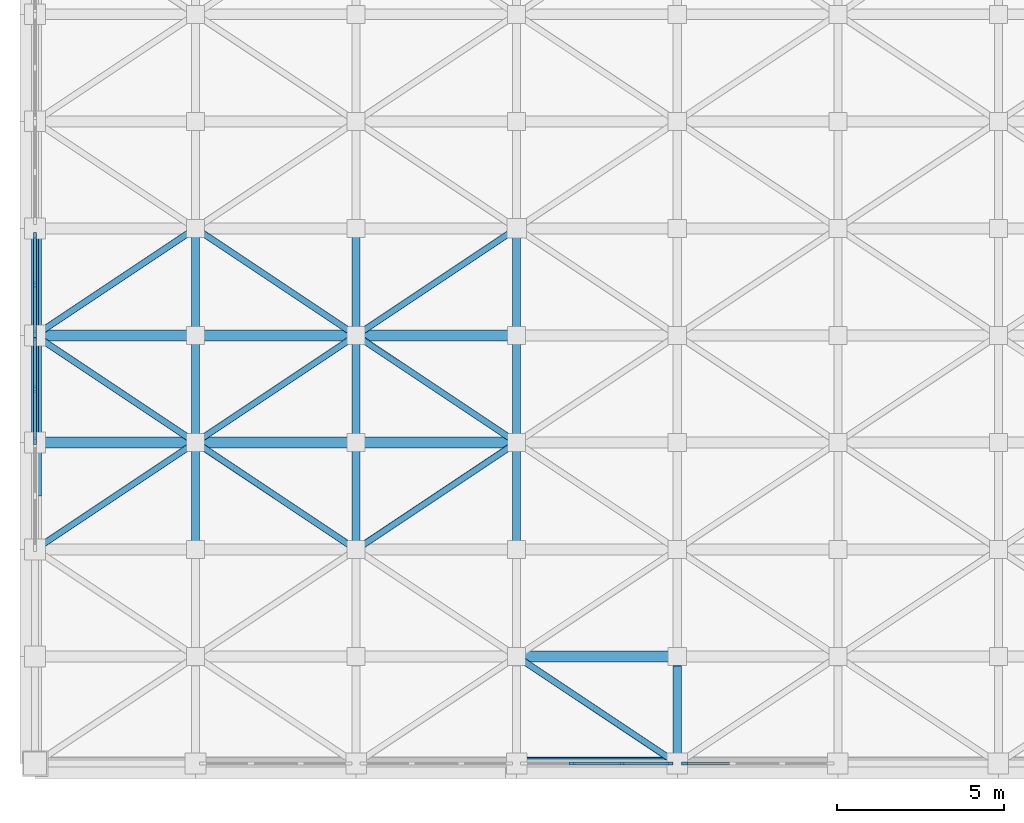
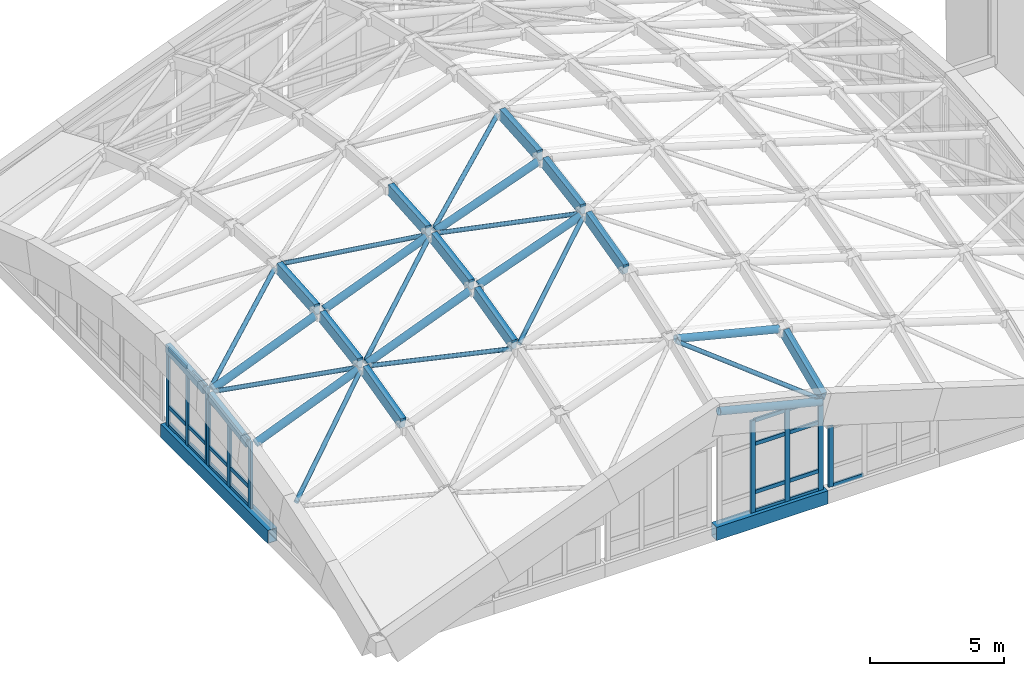
# One storey, part 3 of 14: 61 members, 2 beams, 4 elements without a shape of their own.
"""IFC4 building model written with IfcOpenShell, lengths in metres."""

import ifcopenshell
import ifcopenshell.guid

model = None  # the IFC model being written
_history = None  # IfcOwnerHistory: only IFC2X3 demands one
_inside = {}  # id of a spatial element -> (the spatial element, [elements in it])
_under = {}  # id of a project, library or spatial element -> (it, [spatial elements below it])
_declared = {}  # id of a project -> (the project, [libraries it declares])
_typed = {}  # id of a type object -> (the type object, [elements of that type])
_made_of = {}  # id of a material, layer set ... -> (it, [elements and type objects made of it])


def new_model(schema):
    """Start an empty IFC model of exactly this schema.

    Asked for "IFC4X3", IfcOpenShell would pick the latest addendum, in which some entities
    have other attributes; the version numbers below select the first issue.
    IFC2X3 requires an IfcOwnerHistory on every rooted entity: one is made here for all.
    """
    global model, _history
    if schema == "IFC4X3":
        model = ifcopenshell.file(schema_version=(4, 3, 0, 0))
    else:
        model = ifcopenshell.file(schema=schema)
    _inside.clear()
    _under.clear()
    _declared.clear()
    _typed.clear()
    _made_of.clear()
    _history = None
    if model.schema == "IFC2X3":
        org = make("IfcOrganization", Name="unknown")
        user = make(
            "IfcPersonAndOrganization",
            ThePerson=make("IfcPerson", FamilyName="unknown"),
            TheOrganization=org,
        )
        app = make(
            "IfcApplication",
            ApplicationDeveloper=org,
            Version="unknown",
            ApplicationFullName="unknown",
            ApplicationIdentifier="unknown",
        )
        _history = make(
            "IfcOwnerHistory",
            OwningUser=user,
            OwningApplication=app,
            ChangeAction="ADDED",
            CreationDate=0,
        )
    return model


def make(cls, **values):
    """One entity of the class cls with the attributes given. An attribute that is None is left unset."""
    return model.create_entity(
        cls, **{name: value for name, value in values.items() if value is not None}
    )


def rooted(cls, **values):
    """An entity with a GlobalId (a new one), such as an element, a storey or a relation."""
    return make(cls, GlobalId=ifcopenshell.guid.new(), OwnerHistory=_history, **values)


def si_unit(unit_type, name, prefix=None):
    """IfcSIUnit, for example si_unit("LENGTHUNIT", "METRE", prefix="MILLI")."""
    return make("IfcSIUnit", UnitType=unit_type, Prefix=prefix, Name=name)


def assignment(units):
    """IfcUnitAssignment: the units of a project."""
    return None if units is None else make("IfcUnitAssignment", Units=units)


def point(xyz):
    """IfcCartesianPoint."""
    return None if xyz is None else make("IfcCartesianPoint", Coordinates=xyz)


def direction(xyz):
    """IfcDirection."""
    return None if xyz is None else make("IfcDirection", DirectionRatios=xyz)


def frame(location, z_axis=None, x_axis=None):
    """IfcAxis2Placement3D, a coordinate frame: its origin and axes. An axis left out is left unset."""
    return make(
        "IfcAxis2Placement3D",
        Location=point(location),
        Axis=direction(z_axis),
        RefDirection=direction(x_axis),
    )


def frame_2d(location, x_axis=None):
    """IfcAxis2Placement2D, a coordinate frame in the plane: its origin and x axis."""
    return make(
        "IfcAxis2Placement2D", Location=point(location), RefDirection=direction(x_axis)
    )


def origin():
    """The frame at (0, 0, 0) with its axes left unset."""
    return frame((0.0, 0.0, 0.0))


def origin_2d():
    """The frame at (0, 0) in the plane with its x axis left unset."""
    return frame_2d((0.0, 0.0))


def place(relative_to, where):
    """IfcLocalPlacement: puts the frame where relative to a parent placement (None: the world)."""
    return make(
        "IfcLocalPlacement", PlacementRelTo=relative_to, RelativePlacement=where
    )


def context(
    kind, dimensions, precision=None, world=None, true_north=None, identifier=None
):
    """IfcGeometricRepresentationContext, for example the 3D "Model" context."""
    return make(
        "IfcGeometricRepresentationContext",
        ContextIdentifier=identifier,
        ContextType=kind,
        CoordinateSpaceDimension=dimensions,
        Precision=precision,
        WorldCoordinateSystem=world,
        TrueNorth=true_north,
    )


def subcontext(parent, identifier, kind, view, scale=None):
    """IfcGeometricRepresentationSubContext, for example "Body" below "Model"."""
    return make(
        "IfcGeometricRepresentationSubContext",
        ContextIdentifier=identifier,
        ContextType=kind,
        ParentContext=parent,
        TargetScale=scale,
        TargetView=view,
    )


def project(units=None, contexts=None):
    """IfcProject with its units and contexts."""
    return rooted(
        "IfcProject",
        Name="project",
        RepresentationContexts=contexts,
        UnitsInContext=assignment(units),
    )


def spatial(cls, under=None, at=None, **own):
    """A site, building, storey or space (cls), placed at a placement, below another one or the project."""
    s = rooted(cls, ObjectPlacement=at, **own)
    if under is not None:
        _under.setdefault(under.id(), (under, []))[1].append(s)
    return s


def profile(cls, at=None, kind="AREA", **sizes):
    """A parametric profile (cls). Its sizes go by their IFC names, for example OverallWidth=200.0."""
    return make(cls, ProfileType=kind, Position=at, **sizes)


def rectangle(**sizes):
    """IfcRectangleProfileDef."""
    return profile("IfcRectangleProfileDef", **sizes)


def hollow_rectangle(**sizes):
    """IfcRectangleHollowProfileDef."""
    return profile("IfcRectangleHollowProfileDef", **sizes)


def hollow_circle(**sizes):
    """IfcCircleHollowProfileDef."""
    return profile("IfcCircleHollowProfileDef", **sizes)


def extrude(swept, where, along, depth):
    """IfcExtrudedAreaSolid: the profile swept, set in the frame where, extruded along a direction by depth."""
    return make(
        "IfcExtrudedAreaSolid",
        SweptArea=swept,
        Position=where,
        ExtrudedDirection=direction(along),
        Depth=depth,
    )


def shape(context_of_items, identifier, shape_type, items):
    """IfcShapeRepresentation: the items that make up one representation, for example the "Body"."""
    return make(
        "IfcShapeRepresentation",
        ContextOfItems=context_of_items,
        RepresentationIdentifier=identifier,
        RepresentationType=shape_type,
        Items=items,
    )


def material(Name=None, Category=None):
    """IfcMaterial."""
    return make("IfcMaterial", Name=Name, Category=Category)


def material_profile(
    of_material, cross_section, Name=None, Category=None, Priority=None
):
    """IfcMaterialProfile: a cross section and its material."""
    return make(
        "IfcMaterialProfile",
        Name=Name,
        Material=of_material,
        Profile=cross_section,
        Priority=Priority,
        Category=Category,
    )


def profile_set(profiles, Name=None, composite=None):
    """IfcMaterialProfileSet."""
    return make(
        "IfcMaterialProfileSet",
        Name=Name,
        MaterialProfiles=profiles,
        CompositeProfile=composite,
    )


def made_of(thing, what):
    """Note that an element or type object is made of a material, layer set ...; save() writes the relation."""
    if what is not None:
        _made_of.setdefault(what.id(), (what, []))[1].append(thing)
    return thing


def type_object(cls, material=None, **own):
    """A type object (cls), such as IfcWallType, which elements share."""
    return made_of(rooted(cls, **own), material)


def element(
    cls,
    number,
    at=None,
    inside=None,
    cuts=None,
    type_object=None,
    material=None,
    context=None,
    identifier="Body",
    shape_type=None,
    held_by="IfcProductDefinitionShape",
    body=None,
    shapes=None,
    **own,
):
    """One element of the class cls, such as IfcWall. Its Tag is "e" and its number.

    at: its placement. inside: the storey or other place that contains it. cuts: it is an
    opening in that element (IfcRelVoidsElement). A single representation is given by context,
    identifier, shape_type and body (its items); several are given by shapes. held_by: the class
    of the entity that holds the representations. save() writes the other relations.
    """
    e = rooted(cls, Tag="e%d" % number, ObjectPlacement=at, **own)
    if body is not None:
        shapes = [shape(context, identifier, shape_type, body)]
    if shapes is not None:
        e.Representation = make(held_by, Representations=shapes)
    if inside is not None:
        _inside.setdefault(inside.id(), (inside, []))[1].append(e)
    if cuts is not None:
        rooted(
            "IfcRelVoidsElement", RelatingBuildingElement=cuts, RelatedOpeningElement=e
        )
    if type_object is not None:
        _typed.setdefault(type_object.id(), (type_object, []))[1].append(e)
    return made_of(e, material)


def aggregate(whole, parts):
    """IfcRelAggregates: a whole, such as a stair, and the parts it consists of."""
    return rooted("IfcRelAggregates", RelatingObject=whole, RelatedObjects=parts)


def save(model, path):
    """Write the relations noted so far, then the file.

    IfcRelAggregates (storeys below a building ...), IfcRelContainedInSpatialStructure (elements
    in a storey), IfcRelDefinesByType, IfcRelAssociatesMaterial and IfcRelDeclares: one each for
    every whole, place, type object, material and project.
    """
    for whole, parts in _under.values():
        aggregate(whole, parts)
    for where, things in _inside.values():
        rooted(
            "IfcRelContainedInSpatialStructure",
            RelatedElements=things,
            RelatingStructure=where,
        )
    for kind, things in _typed.values():
        rooted("IfcRelDefinesByType", RelatedObjects=things, RelatingType=kind)
    for what, things in _made_of.values():
        rooted("IfcRelAssociatesMaterial", RelatedObjects=things, RelatingMaterial=what)
    for by, libraries in _declared.values():
        rooted("IfcRelDeclares", RelatingContext=by, RelatedDefinitions=libraries)
    model.write(path)


model = new_model("IFC4")

# Units and contexts
model_context = context("Model", 3, precision=1e-05, world=origin(), true_north=direction((0.0, 1.0)))
body_context = subcontext(model_context, "Body", "Model", "MODEL_VIEW")
ifc_project = project(units=[si_unit("LENGTHUNIT", "METRE"), si_unit("AREAUNIT", "SQUARE_METRE"), si_unit("VOLUMEUNIT", "CUBIC_METRE"), si_unit("PLANEANGLEUNIT", "RADIAN"), si_unit("MASSUNIT", "GRAM", prefix="KILO")], contexts=[model_context])

# Site, building, storey
site_placement = place(None, origin())
site = spatial("IfcSite", under=ifc_project, at=site_placement, CompositionType="ELEMENT")
building_placement = place(site_placement, origin())
building = spatial("IfcBuilding", under=site, at=building_placement, Name="Dunescarp Central Library", CompositionType="ELEMENT")
storey_placement = place(building_placement, frame((0.0, 0.0, 31.800048828125)))
storey = spatial("IfcBuildingStorey", under=building, at=storey_placement, Name="ROOF", CompositionType="ELEMENT", Elevation=31.800048828125)

# Curtain wall, members
ifc_material_1 = material(Name="Marine-grade anodised aluminium 6063-T6", Category="aluminium")
curtain_wall_type = type_object("IfcCurtainWallType", Name="ARC-CW-CROWN", PredefinedType="NOTDEFINED", material=ifc_material_1)
curtain_wall_1_placement = place(storey_placement, origin())
curtain_wall_1 = element("IfcCurtainWall", 1, at=curtain_wall_1_placement, inside=storey, type_object=curtain_wall_type, Name="ROOF curtain wall CW-CROWN-S4", PredefinedType="NOTDEFINED")
ifc_material_profile_1 = material_profile(ifc_material_1, rectangle(XDim=0.090087890625, YDim=0.199951171875, at=origin_2d()), Name="AL 90x200")
ifc_profile_set_1 = profile_set([ifc_material_profile_1], Name="Marine-grade anodised aluminium 6063-T6")
member_type_1 = type_object("IfcMemberType", Name="ARC-CWM-200", PredefinedType="MULLION", material=ifc_profile_set_1)
member_1_placement = place(storey_placement, frame((18.97998046875, 4.800048828125, 0.0), z_axis=(0.0, 0.0, 1.0), x_axis=(0.0, -1.0, 0.0)))
member_1 = element("IfcMember", 2, at=member_1_placement, type_object=member_type_1, Name="CW-CROWN-S4 mullion 1", PredefinedType="MULLION", context=body_context, shape_type="SweptSolid", body=[
    extrude(rectangle(XDim=0.090087890625, YDim=0.199951171875, at=origin_2d()), origin(), (0.0, 0.0, 1.0), 4.199951171875),
])
member_2_placement = place(storey_placement, frame((17.541748046875, 4.800048828125, 0.0), z_axis=(0.0, 0.0, 1.0), x_axis=(0.0, -1.0, 0.0)))
member_2 = element("IfcMember", 3, at=member_2_placement, type_object=member_type_1, Name="CW-CROWN-S4 mullion 2", PredefinedType="MULLION", context=body_context, shape_type="SweptSolid", body=[
    extrude(rectangle(XDim=0.090087890625, YDim=0.199951171875, at=origin_2d()), origin(), (0.0, 0.0, 1.0), 4.199951171875),
])
member_3_placement = place(storey_placement, frame((16.058349609375, 4.800048828125, 0.0), z_axis=(0.0, 0.0, 1.0), x_axis=(0.0, -1.0, 0.0)))
member_3 = element("IfcMember", 4, at=member_3_placement, type_object=member_type_1, Name="CW-CROWN-S4 mullion 3", PredefinedType="MULLION", context=body_context, shape_type="SweptSolid", body=[
    extrude(rectangle(XDim=0.090087890625, YDim=0.199951171875, at=origin_2d()), origin(), (0.0, 0.0, 1.0), 4.199951171875),
])

# Curtain wall, member
curtain_wall_2_placement = place(storey_placement, origin())
curtain_wall_2 = element("IfcCurtainWall", 5, at=curtain_wall_2_placement, inside=storey, type_object=curtain_wall_type, Name="ROOF curtain wall CW-CROWN-S5", PredefinedType="NOTDEFINED")
member_4_placement = place(storey_placement, frame((19.419921875, 4.800048828125, 0.0), z_axis=(0.0, 0.0, 1.0), x_axis=(0.0, -1.0, 0.0)))
member_4 = element("IfcMember", 6, at=member_4_placement, type_object=member_type_1, Name="CW-CROWN-S5 mullion 4", PredefinedType="MULLION", context=body_context, shape_type="SweptSolid", body=[
    extrude(rectangle(XDim=0.090087890625, YDim=0.199951171875, at=origin_2d()), origin(), (0.0, 0.0, 1.0), 2.75),
])

# Curtain wall, members
curtain_wall_3_placement = place(storey_placement, origin())
curtain_wall_3 = element("IfcCurtainWall", 7, at=curtain_wall_3_placement, inside=storey, type_object=curtain_wall_type, Name="ROOF curtain wall CW-CROWN-W4", PredefinedType="NOTDEFINED")
member_5_placement = place(storey_placement, frame((0.0, 14.445068359375, 0.0), z_axis=(0.0, 0.0, 1.0), x_axis=(-1.0, 0.0, 0.0)))
member_5 = element("IfcMember", 8, at=member_5_placement, type_object=member_type_1, Name="CW-CROWN-W4 mullion 1", PredefinedType="MULLION", context=body_context, shape_type="SweptSolid", body=[
    extrude(rectangle(XDim=0.090087890625, YDim=0.199951171875, at=origin_2d()), origin(), (0.0, 0.0, 1.0), 3.0400390625),
])
member_6_placement = place(storey_placement, frame((0.0, 16.0, 0.0), z_axis=(0.0, 0.0, 1.0), x_axis=(-1.0, 0.0, 0.0)))
member_6 = element("IfcMember", 9, at=member_6_placement, type_object=member_type_1, Name="CW-CROWN-W4 mullion 2", PredefinedType="MULLION", context=body_context, shape_type="SweptSolid", body=[
    extrude(rectangle(XDim=0.090087890625, YDim=0.199951171875, at=origin_2d()), origin(), (0.0, 0.0, 1.0), 3.0400390625),
])
member_7_placement = place(storey_placement, frame((0.0, 17.554931640625, 0.0), z_axis=(0.0, 0.0, 1.0), x_axis=(-1.0, 0.0, 0.0)))
member_7 = element("IfcMember", 10, at=member_7_placement, type_object=member_type_1, Name="CW-CROWN-W4 mullion 3", PredefinedType="MULLION", context=body_context, shape_type="SweptSolid", body=[
    extrude(rectangle(XDim=0.090087890625, YDim=0.199951171875, at=origin_2d()), origin(), (0.0, 0.0, 1.0), 3.0400390625),
])

curtain_wall_4_placement = place(storey_placement, origin())
curtain_wall_4 = element("IfcCurtainWall", 11, at=curtain_wall_4_placement, inside=storey, type_object=curtain_wall_type, Name="ROOF curtain wall CW-CROWN-W5", PredefinedType="NOTDEFINED")
member_8_placement = place(storey_placement, frame((0.0, 17.64501953125, 0.0), z_axis=(0.0, 0.0, 1.0), x_axis=(-1.0, 0.0, 0.0)))
member_8 = element("IfcMember", 12, at=member_8_placement, type_object=member_type_1, Name="CW-CROWN-W5 mullion 1", PredefinedType="MULLION", context=body_context, shape_type="SweptSolid", body=[
    extrude(rectangle(XDim=0.090087890625, YDim=0.199951171875, at=origin_2d()), origin(), (0.0, 0.0, 1.0), 3.56005859375),
])
member_9_placement = place(storey_placement, frame((0.0, 19.112548828125, 0.0), z_axis=(0.0, 0.0, 1.0), x_axis=(-1.0, 0.0, 0.0)))
member_9 = element("IfcMember", 13, at=member_9_placement, type_object=member_type_1, Name="CW-CROWN-W5 mullion 2", PredefinedType="MULLION", context=body_context, shape_type="SweptSolid", body=[
    extrude(rectangle(XDim=0.090087890625, YDim=0.199951171875, at=origin_2d()), origin(), (0.0, 0.0, 1.0), 3.56005859375),
])
member_10_placement = place(storey_placement, frame((0.0, 20.580078125, 0.0), z_axis=(0.0, 0.0, 1.0), x_axis=(-1.0, 0.0, 0.0)))
member_10 = element("IfcMember", 14, at=member_10_placement, type_object=member_type_1, Name="CW-CROWN-W5 mullion 3", PredefinedType="MULLION", context=body_context, shape_type="SweptSolid", body=[
    extrude(rectangle(XDim=0.090087890625, YDim=0.199951171875, at=origin_2d()), origin(), (0.0, 0.0, 1.0), 3.56005859375),
])

# Member
ifc_material_profile_2 = material_profile(ifc_material_1, rectangle(XDim=0.080078125, YDim=0.169921875, at=origin_2d()), Name="AL 80x170")
ifc_profile_set_2 = profile_set([ifc_material_profile_2], Name="Marine-grade anodised aluminium 6063-T6")
member_type_2 = type_object("IfcMemberType", Name="ARC-CWT-170", PredefinedType="USERDEFINED", material=ifc_profile_set_2)
member_11_placement = place(storey_placement, frame((18.93505859375, 4.800048828125, 0.0400390625), z_axis=(-1.0, 0.0, 0.0), x_axis=(0.0, -1.0, 0.0)))
member_11 = element("IfcMember", 15, at=member_11_placement, type_object=member_type_2, Name="CW-CROWN-S4 transom 1.1", ObjectType="TRANSOM", PredefinedType="USERDEFINED", context=body_context, shape_type="SweptSolid", body=[
    extrude(rectangle(XDim=0.080078125, YDim=0.169921875, at=origin_2d()), origin(), (0.0, 0.0, 1.0), 1.348388671875),
])

member_12_placement = place(storey_placement, frame((18.93505859375, 4.800048828125, 0.89990234375), z_axis=(-1.0, 0.0, 0.0), x_axis=(0.0, -1.0, 0.0)))
member_12 = element("IfcMember", 16, at=member_12_placement, type_object=member_type_2, Name="CW-CROWN-S4 transom 1.2", ObjectType="TRANSOM", PredefinedType="USERDEFINED", context=body_context, shape_type="SweptSolid", body=[
    extrude(rectangle(XDim=0.080078125, YDim=0.169921875, at=origin_2d()), origin(), (0.0, 0.0, 1.0), 1.348388671875),
])

member_13_placement = place(storey_placement, frame((18.93505859375, 4.800048828125, 3.099853515625), z_axis=(-1.0, 0.0, 0.0), x_axis=(0.0, -1.0, 0.0)))
member_13 = element("IfcMember", 17, at=member_13_placement, type_object=member_type_2, Name="CW-CROWN-S4 transom 1.3", ObjectType="TRANSOM", PredefinedType="USERDEFINED", context=body_context, shape_type="SweptSolid", body=[
    extrude(rectangle(XDim=0.080078125, YDim=0.169921875, at=origin_2d()), origin(), (0.0, 0.0, 1.0), 1.348388671875),
])

member_14_placement = place(storey_placement, frame((18.93505859375, 4.800048828125, 4.159912109375), z_axis=(-1.0, 0.0, 0.0), x_axis=(0.0, -1.0, 0.0)))
member_14 = element("IfcMember", 18, at=member_14_placement, type_object=member_type_2, Name="CW-CROWN-S4 transom 1.4", ObjectType="TRANSOM", PredefinedType="USERDEFINED", context=body_context, shape_type="SweptSolid", body=[
    extrude(rectangle(XDim=0.080078125, YDim=0.169921875, at=origin_2d()), origin(), (0.0, 0.0, 1.0), 1.348388671875),
])

member_15_placement = place(storey_placement, frame((17.49658203125, 4.800048828125, 0.0400390625), z_axis=(-1.0, 0.0, 0.0), x_axis=(0.0, -1.0, 0.0)))
member_15 = element("IfcMember", 19, at=member_15_placement, type_object=member_type_2, Name="CW-CROWN-S4 transom 2.1", ObjectType="TRANSOM", PredefinedType="USERDEFINED", context=body_context, shape_type="SweptSolid", body=[
    extrude(rectangle(XDim=0.080078125, YDim=0.169921875, at=origin_2d()), origin(), (0.0, 0.0, 1.0), 1.393310546875),
])

member_16_placement = place(storey_placement, frame((17.49658203125, 4.800048828125, 0.89990234375), z_axis=(-1.0, 0.0, 0.0), x_axis=(0.0, -1.0, 0.0)))
member_16 = element("IfcMember", 20, at=member_16_placement, type_object=member_type_2, Name="CW-CROWN-S4 transom 2.2", ObjectType="TRANSOM", PredefinedType="USERDEFINED", context=body_context, shape_type="SweptSolid", body=[
    extrude(rectangle(XDim=0.080078125, YDim=0.169921875, at=origin_2d()), origin(), (0.0, 0.0, 1.0), 1.393310546875),
])

member_17_placement = place(storey_placement, frame((17.49658203125, 4.800048828125, 3.099853515625), z_axis=(-1.0, 0.0, 0.0), x_axis=(0.0, -1.0, 0.0)))
member_17 = element("IfcMember", 21, at=member_17_placement, type_object=member_type_2, Name="CW-CROWN-S4 transom 2.3", ObjectType="TRANSOM", PredefinedType="USERDEFINED", context=body_context, shape_type="SweptSolid", body=[
    extrude(rectangle(XDim=0.080078125, YDim=0.169921875, at=origin_2d()), origin(), (0.0, 0.0, 1.0), 1.393310546875),
])

member_18_placement = place(storey_placement, frame((17.49658203125, 4.800048828125, 4.159912109375), z_axis=(-1.0, 0.0, 0.0), x_axis=(0.0, -1.0, 0.0)))
member_18 = element("IfcMember", 22, at=member_18_placement, type_object=member_type_2, Name="CW-CROWN-S4 transom 2.4", ObjectType="TRANSOM", PredefinedType="USERDEFINED", context=body_context, shape_type="SweptSolid", body=[
    extrude(rectangle(XDim=0.080078125, YDim=0.169921875, at=origin_2d()), origin(), (0.0, 0.0, 1.0), 1.393310546875),
])

aggregate(curtain_wall_1, [member_1, member_2, member_3, member_11, member_12, member_13, member_14, member_15, member_16, member_17, member_18])

member_19_placement = place(storey_placement, frame((20.813232421875, 4.800048828125, 0.0400390625), z_axis=(-1.0, 0.0, 0.0), x_axis=(0.0, -1.0, 0.0)))
member_19 = element("IfcMember", 23, at=member_19_placement, type_object=member_type_2, Name="CW-CROWN-S5 transom 3.1", ObjectType="TRANSOM", PredefinedType="USERDEFINED", context=body_context, shape_type="SweptSolid", body=[
    extrude(rectangle(XDim=0.080078125, YDim=0.169921875, at=origin_2d()), origin(), (0.0, 0.0, 1.0), 1.34814453125),
])

aggregate(curtain_wall_2, [member_4, member_19])

member_20_placement = place(storey_placement, frame((0.0, 14.489990234375, 0.0400390625), z_axis=(0.0, 1.0, 0.0), x_axis=(-1.0, 0.0, 0.0)))
member_20 = element("IfcMember", 24, at=member_20_placement, type_object=member_type_2, Name="CW-CROWN-W4 transom 1.1", ObjectType="TRANSOM", PredefinedType="USERDEFINED", context=body_context, shape_type="SweptSolid", body=[
    extrude(rectangle(XDim=0.080078125, YDim=0.169921875, at=origin_2d()), origin(), (0.0, 0.0, 1.0), 1.465087890625),
])

member_21_placement = place(storey_placement, frame((0.0, 14.489990234375, 0.89990234375), z_axis=(0.0, 1.0, 0.0), x_axis=(-1.0, 0.0, 0.0)))
member_21 = element("IfcMember", 25, at=member_21_placement, type_object=member_type_2, Name="CW-CROWN-W4 transom 1.2", ObjectType="TRANSOM", PredefinedType="USERDEFINED", context=body_context, shape_type="SweptSolid", body=[
    extrude(rectangle(XDim=0.080078125, YDim=0.169921875, at=origin_2d()), origin(), (0.0, 0.0, 1.0), 1.465087890625),
])

member_22_placement = place(storey_placement, frame((0.0, 14.489990234375, 3.0), z_axis=(0.0, 1.0, 0.0), x_axis=(-1.0, 0.0, 0.0)))
member_22 = element("IfcMember", 26, at=member_22_placement, type_object=member_type_2, Name="CW-CROWN-W4 transom 1.3", ObjectType="TRANSOM", PredefinedType="USERDEFINED", context=body_context, shape_type="SweptSolid", body=[
    extrude(rectangle(XDim=0.080078125, YDim=0.169921875, at=origin_2d()), origin(), (0.0, 0.0, 1.0), 1.465087890625),
])

member_23_placement = place(storey_placement, frame((0.0, 16.044921875, 0.0400390625), z_axis=(0.0, 1.0, 0.0), x_axis=(-1.0, 0.0, 0.0)))
member_23 = element("IfcMember", 27, at=member_23_placement, type_object=member_type_2, Name="CW-CROWN-W4 transom 2.1", ObjectType="TRANSOM", PredefinedType="USERDEFINED", context=body_context, shape_type="SweptSolid", body=[
    extrude(rectangle(XDim=0.080078125, YDim=0.169921875, at=origin_2d()), origin(), (0.0, 0.0, 1.0), 1.465087890625),
])

member_24_placement = place(storey_placement, frame((0.0, 16.044921875, 0.89990234375), z_axis=(0.0, 1.0, 0.0), x_axis=(-1.0, 0.0, 0.0)))
member_24 = element("IfcMember", 28, at=member_24_placement, type_object=member_type_2, Name="CW-CROWN-W4 transom 2.2", ObjectType="TRANSOM", PredefinedType="USERDEFINED", context=body_context, shape_type="SweptSolid", body=[
    extrude(rectangle(XDim=0.080078125, YDim=0.169921875, at=origin_2d()), origin(), (0.0, 0.0, 1.0), 1.465087890625),
])

member_25_placement = place(storey_placement, frame((0.0, 16.044921875, 3.0), z_axis=(0.0, 1.0, 0.0), x_axis=(-1.0, 0.0, 0.0)))
member_25 = element("IfcMember", 29, at=member_25_placement, type_object=member_type_2, Name="CW-CROWN-W4 transom 2.3", ObjectType="TRANSOM", PredefinedType="USERDEFINED", context=body_context, shape_type="SweptSolid", body=[
    extrude(rectangle(XDim=0.080078125, YDim=0.169921875, at=origin_2d()), origin(), (0.0, 0.0, 1.0), 1.465087890625),
])

aggregate(curtain_wall_3, [member_5, member_6, member_7, member_20, member_21, member_22, member_23, member_24, member_25])

member_26_placement = place(storey_placement, frame((0.0, 17.68994140625, 0.0400390625), z_axis=(0.0, 1.0, 0.0), x_axis=(-1.0, 0.0, 0.0)))
member_26 = element("IfcMember", 30, at=member_26_placement, type_object=member_type_2, Name="CW-CROWN-W5 transom 1.1", ObjectType="TRANSOM", PredefinedType="USERDEFINED", context=body_context, shape_type="SweptSolid", body=[
    extrude(rectangle(XDim=0.080078125, YDim=0.169921875, at=origin_2d()), origin(), (0.0, 0.0, 1.0), 1.37744140625),
])

member_27_placement = place(storey_placement, frame((0.0, 17.68994140625, 0.89990234375), z_axis=(0.0, 1.0, 0.0), x_axis=(-1.0, 0.0, 0.0)))
member_27 = element("IfcMember", 31, at=member_27_placement, type_object=member_type_2, Name="CW-CROWN-W5 transom 1.2", ObjectType="TRANSOM", PredefinedType="USERDEFINED", context=body_context, shape_type="SweptSolid", body=[
    extrude(rectangle(XDim=0.080078125, YDim=0.169921875, at=origin_2d()), origin(), (0.0, 0.0, 1.0), 1.37744140625),
])

member_28_placement = place(storey_placement, frame((0.0, 17.68994140625, 3.52001953125), z_axis=(0.0, 1.0, 0.0), x_axis=(-1.0, 0.0, 0.0)))
member_28 = element("IfcMember", 32, at=member_28_placement, type_object=member_type_2, Name="CW-CROWN-W5 transom 1.3", ObjectType="TRANSOM", PredefinedType="USERDEFINED", context=body_context, shape_type="SweptSolid", body=[
    extrude(rectangle(XDim=0.080078125, YDim=0.169921875, at=origin_2d()), origin(), (0.0, 0.0, 1.0), 1.37744140625),
])

member_29_placement = place(storey_placement, frame((0.0, 19.157470703125, 0.0400390625), z_axis=(0.0, 1.0, 0.0), x_axis=(-1.0, 0.0, 0.0)))
member_29 = element("IfcMember", 33, at=member_29_placement, type_object=member_type_2, Name="CW-CROWN-W5 transom 2.1", ObjectType="TRANSOM", PredefinedType="USERDEFINED", context=body_context, shape_type="SweptSolid", body=[
    extrude(rectangle(XDim=0.080078125, YDim=0.169921875, at=origin_2d()), origin(), (0.0, 0.0, 1.0), 1.37744140625),
])

member_30_placement = place(storey_placement, frame((0.0, 19.157470703125, 0.89990234375), z_axis=(0.0, 1.0, 0.0), x_axis=(-1.0, 0.0, 0.0)))
member_30 = element("IfcMember", 34, at=member_30_placement, type_object=member_type_2, Name="CW-CROWN-W5 transom 2.2", ObjectType="TRANSOM", PredefinedType="USERDEFINED", context=body_context, shape_type="SweptSolid", body=[
    extrude(rectangle(XDim=0.080078125, YDim=0.169921875, at=origin_2d()), origin(), (0.0, 0.0, 1.0), 1.37744140625),
])

member_31_placement = place(storey_placement, frame((0.0, 19.157470703125, 3.52001953125), z_axis=(0.0, 1.0, 0.0), x_axis=(-1.0, 0.0, 0.0)))
member_31 = element("IfcMember", 35, at=member_31_placement, type_object=member_type_2, Name="CW-CROWN-W5 transom 2.3", ObjectType="TRANSOM", PredefinedType="USERDEFINED", context=body_context, shape_type="SweptSolid", body=[
    extrude(rectangle(XDim=0.080078125, YDim=0.169921875, at=origin_2d()), origin(), (0.0, 0.0, 1.0), 1.37744140625),
])

aggregate(curtain_wall_4, [member_8, member_9, member_10, member_26, member_27, member_28, member_29, member_30, member_31])

# Members
ifc_material_2 = material(Name="Steel S355J0", Category="steel")
ifc_material_profile_3 = material_profile(ifc_material_2, hollow_circle(Radius=0.161865234375, WallThickness=0.012451171875, at=origin_2d()), Name="CHS 323.9x12.5")
ifc_profile_set_3 = profile_set([ifc_material_profile_3], Name="Steel S355J0")
member_type_3 = type_object("IfcMemberType", Name="STR-GS-ARCH", PredefinedType="USERDEFINED", material=ifc_profile_set_3)
for number, where, z_axis, x_axis, name in (
    (36, (14.593994140625, 4.800048828125, 5.11083984375), (0.970205626745, 0.0, -0.242282978835), (0.0, 1.0, 0.0), "Gridshell arch rib GS-A-300"),
    (37, (14.593994140625, 8.0, 6.470947265625), (0.970193006031, 0.0, -0.24233351202), (0.0, 1.0, 0.0), "Gridshell arch rib GS-A-301"),
):
    element("IfcMember", number, at=place(storey_placement, frame(where, z_axis=z_axis, x_axis=x_axis)), inside=storey, type_object=member_type_3, Name=name, ObjectType="ARCH_SEGMENT", PredefinedType="USERDEFINED", context=body_context, shape_type="SweptSolid", body=[
        extrude(hollow_circle(Radius=0.161865234375, WallThickness=0.012451171875, at=origin_2d()), origin(), (0.0, 0.0, 1.0), 4.547607421875),
    ])
member_32_placement = place(storey_placement, frame((0.18505859375, 14.39990234375, 2.875), z_axis=(0.926438199705, 0.0, 0.376446891509), x_axis=(0.0, 1.0, 0.0)))
element("IfcMember", 38, at=member_32_placement, inside=storey, type_object=member_type_3, Name="Gridshell arch rib GS-A-003", ObjectType="ARCH_SEGMENT", PredefinedType="USERDEFINED", context=body_context, shape_type="SweptSolid", body=[
    extrude(hollow_circle(Radius=0.161865234375, WallThickness=0.012451171875, at=origin_2d()), origin(), (0.0, 0.0, 1.0), 4.78173828125),
])
member_33_placement = place(storey_placement, frame((4.986083984375, 14.39990234375, 4.823974609375), z_axis=(0.929863257508, 0.0, 0.36790531708), x_axis=(0.0, 1.0, 0.0)))
element("IfcMember", 39, at=member_33_placement, inside=storey, type_object=member_type_3, Name="Gridshell arch rib GS-A-103", ObjectType="ARCH_SEGMENT", PredefinedType="USERDEFINED", context=body_context, shape_type="SweptSolid", body=[
    extrude(hollow_circle(Radius=0.161865234375, WallThickness=0.012451171875, at=origin_2d()), origin(), (0.0, 0.0, 1.0), 4.761962890625),
])
member_34_placement = place(storey_placement, frame((9.7880859375, 14.39990234375, 6.718994140625), z_axis=(0.939561575961, 0.0, 0.342379971637), x_axis=(0.0, 1.0, 0.0)))
element("IfcMember", 40, at=member_34_placement, inside=storey, type_object=member_type_3, Name="Gridshell arch rib GS-A-203", ObjectType="ARCH_SEGMENT", PredefinedType="USERDEFINED", context=body_context, shape_type="SweptSolid", body=[
    extrude(hollow_circle(Radius=0.161865234375, WallThickness=0.012451171875, at=origin_2d()), origin(), (0.0, 0.0, 1.0), 4.70849609375),
])
member_35_placement = place(storey_placement, frame((0.18505859375, 17.60009765625, 3.39501953125), z_axis=(0.926438199705, 0.0, 0.376446891509), x_axis=(0.0, 1.0, 0.0)))
element("IfcMember", 41, at=member_35_placement, inside=storey, type_object=member_type_3, Name="Gridshell arch rib GS-A-004", ObjectType="ARCH_SEGMENT", PredefinedType="USERDEFINED", context=body_context, shape_type="SweptSolid", body=[
    extrude(hollow_circle(Radius=0.161865234375, WallThickness=0.012451171875, at=origin_2d()), origin(), (0.0, 0.0, 1.0), 4.78173828125),
])
member_36_placement = place(storey_placement, frame((4.986083984375, 17.60009765625, 5.343994140625), z_axis=(0.929863257508, 0.0, 0.36790531708), x_axis=(0.0, 1.0, 0.0)))
element("IfcMember", 42, at=member_36_placement, inside=storey, type_object=member_type_3, Name="Gridshell arch rib GS-A-104", ObjectType="ARCH_SEGMENT", PredefinedType="USERDEFINED", context=body_context, shape_type="SweptSolid", body=[
    extrude(hollow_circle(Radius=0.161865234375, WallThickness=0.012451171875, at=origin_2d()), origin(), (0.0, 0.0, 1.0), 4.761962890625),
])
member_37_placement = place(storey_placement, frame((9.7880859375, 17.60009765625, 7.239013671875), z_axis=(0.939578255319, 0.0, 0.342334196557), x_axis=(0.0, 1.0, 0.0)))
element("IfcMember", 43, at=member_37_placement, inside=storey, type_object=member_type_3, Name="Gridshell arch rib GS-A-204", ObjectType="ARCH_SEGMENT", PredefinedType="USERDEFINED", context=body_context, shape_type="SweptSolid", body=[
    extrude(hollow_circle(Radius=0.161865234375, WallThickness=0.012451171875, at=origin_2d()), origin(), (0.0, 0.0, 1.0), 4.708251953125),
])
ifc_material_profile_4 = material_profile(ifc_material_2, hollow_circle(Radius=0.096923828125, WallThickness=0.008056640625, at=origin_2d()), Name="CHS 193.7x8")
ifc_profile_set_4 = profile_set([ifc_material_profile_4], Name="Steel S355J0")
member_type_4 = type_object("IfcMemberType", Name="STR-GS-DIAG", PredefinedType="BRACE", material=ifc_profile_set_4)
member_38_placement = place(storey_placement, frame((0.14990234375, 11.300048828125, 2.0859375), z_axis=(0.751078064629, 0.500718709752, 0.430305141193), x_axis=(-0.554700196225, 0.832050294338, 0.0)))
element("IfcMember", 44, at=member_38_placement, inside=storey, type_object=member_type_4, Name="Gridshell diagonal GS-D-002", PredefinedType="BRACE", context=body_context, shape_type="SweptSolid", body=[
    extrude(hollow_circle(Radius=0.096923828125, WallThickness=0.008056640625, at=origin_2d()), origin(), (0.0, 0.0, 1.0), 5.991455078125),
])
member_39_placement = place(storey_placement, frame((4.637939453125, 14.508056640625, 4.701904296875), z_axis=(-0.807588649867, 0.538392433245, -0.240695160796), x_axis=(-0.554700196225, -0.832050294338, 0.0)))
element("IfcMember", 45, at=member_39_placement, inside=storey, type_object=member_type_4, Name="Gridshell diagonal GS-D-003", PredefinedType="BRACE", context=body_context, shape_type="SweptSolid", body=[
    extrude(hollow_circle(Radius=0.096923828125, WallThickness=0.008056640625, at=origin_2d()), origin(), (0.0, 0.0, 1.0), 5.542236328125),
])
member_40_placement = place(storey_placement, frame((0.156005859375, 17.7041015625, 3.390869140625), z_axis=(0.777869474229, 0.518565544616, 0.354977262651), x_axis=(-0.55468975103, 0.832057257706, 0.0)))
element("IfcMember", 46, at=member_40_placement, inside=storey, type_object=member_type_4, Name="Gridshell diagonal GS-D-004", PredefinedType="BRACE", context=body_context, shape_type="SweptSolid", body=[
    extrude(hollow_circle(Radius=0.096923828125, WallThickness=0.008056640625, at=origin_2d()), origin(), (0.0, 0.0, 1.0), 5.76953125),
])
member_41_placement = place(storey_placement, frame((9.43701171875, 11.30908203125, 5.81298828125), z_axis=(-0.817368449449, 0.544763627719, -0.187460416514), x_axis=(-0.554595407517, -0.832120143946, 0.0)))
element("IfcMember", 47, at=member_41_placement, inside=storey, type_object=member_type_4, Name="Gridshell diagonal GS-D-102", PredefinedType="BRACE", context=body_context, shape_type="SweptSolid", body=[
    extrude(hollow_circle(Radius=0.096923828125, WallThickness=0.008056640625, at=origin_2d()), origin(), (0.0, 0.0, 1.0), 5.473876953125),
])
member_42_placement = place(storey_placement, frame((4.952880859375, 14.501953125, 4.826904296875), z_axis=(0.767258479106, 0.511505652737, 0.386880334803), x_axis=(-0.554700196225, 0.832050294338, 0.0)))
element("IfcMember", 48, at=member_42_placement, inside=storey, type_object=member_type_4, Name="Gridshell diagonal GS-D-103", PredefinedType="BRACE", context=body_context, shape_type="SweptSolid", body=[
    extrude(hollow_circle(Radius=0.096923828125, WallThickness=0.008056640625, at=origin_2d()), origin(), (0.0, 0.0, 1.0), 5.857421875),
])
member_43_placement = place(storey_placement, frame((9.43994140625, 17.70703125, 7.114990234375), z_axis=(-0.799619561995, 0.532978030668, -0.27666401085), x_axis=(-0.554626942843, -0.832099125269, 0.0)))
element("IfcMember", 49, at=member_43_placement, inside=storey, type_object=member_type_4, Name="Gridshell diagonal GS-D-104", PredefinedType="BRACE", context=body_context, shape_type="SweptSolid", body=[
    extrude(hollow_circle(Radius=0.096923828125, WallThickness=0.008056640625, at=origin_2d()), origin(), (0.0, 0.0, 1.0), 5.6025390625),
])
member_44_placement = place(storey_placement, frame((9.751953125, 11.301025390625, 5.930908203125), z_axis=(0.761007707849, 0.507448667049, 0.404182036841), x_axis=(-0.55478359864, 0.83199468669, 0.0)))
element("IfcMember", 50, at=member_44_placement, inside=storey, type_object=member_type_4, Name="Gridshell diagonal GS-D-202", PredefinedType="BRACE", context=body_context, shape_type="SweptSolid", body=[
    extrude(hollow_circle(Radius=0.096923828125, WallThickness=0.008056640625, at=origin_2d()), origin(), (0.0, 0.0, 1.0), 5.907958984375),
])
member_45_placement = place(storey_placement, frame((14.237060546875, 14.509033203125, 8.35791015625), z_axis=(-0.813839917998, 0.542411915225, -0.208455995584), x_axis=(-0.554595407517, -0.832120143946, 0.0)))
element("IfcMember", 51, at=member_45_placement, inside=storey, type_object=member_type_4, Name="Gridshell diagonal GS-D-203", PredefinedType="BRACE", context=body_context, shape_type="SweptSolid", body=[
    extrude(hollow_circle(Radius=0.096923828125, WallThickness=0.008056640625, at=origin_2d()), origin(), (0.0, 0.0, 1.0), 5.49755859375),
])
member_46_placement = place(storey_placement, frame((9.757080078125, 17.705078125, 7.23486328125), z_axis=(0.78659249364, 0.524295105562, 0.326170034235), x_axis=(-0.554627038534, 0.832099061487, 0.0)))
element("IfcMember", 52, at=member_46_placement, inside=storey, type_object=member_type_4, Name="Gridshell diagonal GS-D-204", PredefinedType="BRACE", context=body_context, shape_type="SweptSolid", body=[
    extrude(hollow_circle(Radius=0.096923828125, WallThickness=0.008056640625, at=origin_2d()), origin(), (0.0, 0.0, 1.0), 5.702880859375),
])
member_47_placement = place(storey_placement, frame((19.048095703125, 4.90087890625, 4.041015625), z_axis=(-0.760486025427, 0.507100803228, 0.405598052875), x_axis=(-0.55478359864, -0.83199468669, 0.0)))
element("IfcMember", 53, at=member_47_placement, inside=storey, type_object=member_type_4, Name="Gridshell diagonal GS-D-300", PredefinedType="BRACE", context=body_context, shape_type="SweptSolid", body=[
    extrude(hollow_circle(Radius=0.096923828125, WallThickness=0.008056640625, at=origin_2d()), origin(), (0.0, 0.0, 1.0), 5.912109375),
])
ifc_material_3 = material(Name="Glulam GL28h", Category="wood")
ifc_material_profile_5 = material_profile(ifc_material_3, rectangle(XDim=0.239990234375, YDim=0.52001953125, at=origin_2d()), Name="GL28h 240x520")
ifc_profile_set_5 = profile_set([ifc_material_profile_5], Name="Glulam GL28h")
member_type_5 = type_object("IfcMemberType", Name="STR-GS-GLULAM", PredefinedType="CHORD", material=ifc_profile_set_5)
member_48_placement = place(storey_placement, frame((4.800048828125, 11.39404296875, 3.9990234375), z_axis=(0.0, 0.970231625732, 0.242178843895), x_axis=(-1.0, 0.0, 0.0)))
element("IfcMember", 54, at=member_48_placement, inside=storey, type_object=member_type_5, Name="Gridshell glulam rib GS-T-102", PredefinedType="CHORD", context=body_context, shape_type="SweptSolid", body=[
    extrude(rectangle(XDim=0.239990234375, YDim=0.52001953125, at=origin_2d()), origin(), (0.0, 0.0, 1.0), 2.898193359375),
])
member_49_placement = place(storey_placement, frame((4.800048828125, 14.596923828125, 4.781982421875), z_axis=(0.0, 0.98704967541, 0.160414894177), x_axis=(-1.0, 0.0, 0.0)))
element("IfcMember", 55, at=member_49_placement, inside=storey, type_object=member_type_5, Name="Gridshell glulam rib GS-T-103", PredefinedType="CHORD", context=body_context, shape_type="SweptSolid", body=[
    extrude(rectangle(XDim=0.239990234375, YDim=0.52001953125, at=origin_2d()), origin(), (0.0, 0.0, 1.0), 2.843017578125),
])
member_50_placement = place(storey_placement, frame((4.800048828125, 17.799072265625, 5.284912109375), z_axis=(0.0, 0.997204329709, 0.074722987153), x_axis=(-1.0, 0.0, 0.0)))
element("IfcMember", 56, at=member_50_placement, inside=storey, type_object=member_type_5, Name="Gridshell glulam rib GS-T-104", PredefinedType="CHORD", context=body_context, shape_type="SweptSolid", body=[
    extrude(rectangle(XDim=0.239990234375, YDim=0.52001953125, at=origin_2d()), origin(), (0.0, 0.0, 1.0), 2.809814453125),
])
member_51_placement = place(storey_placement, frame((9.60009765625, 11.39404296875, 5.89892578125), z_axis=(0.0, 0.970231625732, 0.242178843895), x_axis=(-1.0, 0.0, 0.0)))
element("IfcMember", 57, at=member_51_placement, inside=storey, type_object=member_type_5, Name="Gridshell glulam rib GS-T-202", PredefinedType="CHORD", context=body_context, shape_type="SweptSolid", body=[
    extrude(rectangle(XDim=0.239990234375, YDim=0.52001953125, at=origin_2d()), origin(), (0.0, 0.0, 1.0), 2.898193359375),
])
member_52_placement = place(storey_placement, frame((9.60009765625, 14.596923828125, 6.681884765625), z_axis=(0.0, 0.98704967541, 0.160414894177), x_axis=(-1.0, 0.0, 0.0)))
element("IfcMember", 58, at=member_52_placement, inside=storey, type_object=member_type_5, Name="Gridshell glulam rib GS-T-203", PredefinedType="CHORD", context=body_context, shape_type="SweptSolid", body=[
    extrude(rectangle(XDim=0.239990234375, YDim=0.52001953125, at=origin_2d()), origin(), (0.0, 0.0, 1.0), 2.843017578125),
])
member_53_placement = place(storey_placement, frame((9.60009765625, 17.799072265625, 7.18505859375), z_axis=(0.0, 0.997204329709, 0.074722987153), x_axis=(-1.0, 0.0, 0.0)))
element("IfcMember", 59, at=member_53_placement, inside=storey, type_object=member_type_5, Name="Gridshell glulam rib GS-T-204", PredefinedType="CHORD", context=body_context, shape_type="SweptSolid", body=[
    extrude(rectangle(XDim=0.239990234375, YDim=0.52001953125, at=origin_2d()), origin(), (0.0, 0.0, 1.0), 2.809814453125),
])
member_54_placement = place(storey_placement, frame((14.39990234375, 11.39404296875, 7.64892578125), z_axis=(0.0, 0.970231625732, 0.242178843895), x_axis=(-1.0, 0.0, 0.0)))
element("IfcMember", 60, at=member_54_placement, inside=storey, type_object=member_type_5, Name="Gridshell glulam rib GS-T-302", PredefinedType="CHORD", context=body_context, shape_type="SweptSolid", body=[
    extrude(rectangle(XDim=0.239990234375, YDim=0.52001953125, at=origin_2d()), origin(), (0.0, 0.0, 1.0), 2.898193359375),
])
member_55_placement = place(storey_placement, frame((14.39990234375, 14.596923828125, 8.431884765625), z_axis=(0.0, 0.98704967541, 0.160414894177), x_axis=(-1.0, 0.0, 0.0)))
element("IfcMember", 61, at=member_55_placement, inside=storey, type_object=member_type_5, Name="Gridshell glulam rib GS-T-303", PredefinedType="CHORD", context=body_context, shape_type="SweptSolid", body=[
    extrude(rectangle(XDim=0.239990234375, YDim=0.52001953125, at=origin_2d()), origin(), (0.0, 0.0, 1.0), 2.843017578125),
])
member_56_placement = place(storey_placement, frame((14.39990234375, 17.799072265625, 8.93505859375), z_axis=(0.0, 0.997204329709, 0.074722987153), x_axis=(-1.0, 0.0, 0.0)))
element("IfcMember", 62, at=member_56_placement, inside=storey, type_object=member_type_5, Name="Gridshell glulam rib GS-T-304", PredefinedType="CHORD", context=body_context, shape_type="SweptSolid", body=[
    extrude(rectangle(XDim=0.239990234375, YDim=0.52001953125, at=origin_2d()), origin(), (0.0, 0.0, 1.0), 2.809814453125),
])
member_57_placement = place(storey_placement, frame((19.199951171875, 4.98388671875, 4.037841796875), z_axis=(0.0, 0.920273791564, 0.39127502931), x_axis=(-1.0, 0.0, 0.0)))
element("IfcMember", 63, at=member_57_placement, inside=storey, type_object=member_type_5, Name="Gridshell glulam rib GS-T-400", PredefinedType="CHORD", context=body_context, shape_type="SweptSolid", body=[
    extrude(rectangle(XDim=0.239990234375, YDim=0.52001953125, at=origin_2d()), origin(), (0.0, 0.0, 1.0), 3.077392578125),
])
ifc_material_profile_6 = material_profile(ifc_material_3, rectangle(XDim=0.199951171875, YDim=0.39990234375, at=origin_2d()), Name="GL28h 200x400")
ifc_profile_set_6 = profile_set([ifc_material_profile_6], Name="Glulam GL28h")
member_type_6 = type_object("IfcMemberType", Name="STR-GS-GLULAM2", PredefinedType="CHORD", material=ifc_profile_set_6)
member_58_placement = place(storey_placement, frame((0.0, 14.596923828125, 2.83203125), z_axis=(0.0, 0.987063269315, 0.160331227058), x_axis=(-1.0, 0.0, 0.0)))
element("IfcMember", 64, at=member_58_placement, inside=storey, type_object=member_type_6, Name="Gridshell glulam rib GS-T-003", PredefinedType="CHORD", context=body_context, shape_type="SweptSolid", body=[
    extrude(rectangle(XDim=0.199951171875, YDim=0.39990234375, at=origin_2d()), origin(), (0.0, 0.0, 1.0), 2.843017578125),
])
member_59_placement = place(storey_placement, frame((0.0, 17.799072265625, 3.3349609375), z_axis=(0.0, 0.997204329709, 0.074722987153), x_axis=(-1.0, 0.0, 0.0)))
element("IfcMember", 65, at=member_59_placement, inside=storey, type_object=member_type_6, Name="Gridshell glulam rib GS-T-004", PredefinedType="CHORD", context=body_context, shape_type="SweptSolid", body=[
    extrude(rectangle(XDim=0.199951171875, YDim=0.39990234375, at=origin_2d()), origin(), (0.0, 0.0, 1.0), 2.809814453125),
])

# Beams
ifc_material_profile_7 = material_profile(ifc_material_2, hollow_rectangle(XDim=0.39990234375, YDim=0.60009765625, WallThickness=0.02001953125, at=origin_2d()), Name="RHS 600x400x20")
ifc_profile_set_7 = profile_set([ifc_material_profile_7], Name="Steel S355J0")
beam_type = type_object("IfcBeamType", Name="STR-SP-GRB1", PredefinedType="SPANDREL", material=ifc_profile_set_7)
beam_1_placement = place(storey_placement, frame((14.39990234375, 4.800048828125, -0.300048828125), z_axis=(1.0, 0.0, 0.0), x_axis=(0.0, 1.0, 0.0)))
element("IfcBeam", 66, at=beam_1_placement, inside=storey, type_object=beam_type, Name="Gridshell ring beam GRB-1 GRB1-S07", PredefinedType="SPANDREL", context=body_context, shape_type="SweptSolid", body=[
    extrude(hollow_rectangle(XDim=0.39990234375, YDim=0.60009765625, WallThickness=0.02001953125, at=origin_2d()), origin(), (0.0, 0.0, 1.0), 4.800048828125),
])
beam_2_placement = place(storey_placement, frame((0.0, 12.800048828125, -0.300048828125), z_axis=(0.0, 1.0, 0.0), x_axis=(-1.0, 0.0, 0.0)))
element("IfcBeam", 67, at=beam_2_placement, inside=storey, type_object=beam_type, Name="Gridshell ring beam GRB-1 GRB1-W17", PredefinedType="SPANDREL", context=body_context, shape_type="SweptSolid", body=[
    extrude(hollow_rectangle(XDim=0.39990234375, YDim=0.60009765625, WallThickness=0.02001953125, at=origin_2d()), origin(), (0.0, 0.0, 1.0), 8.0),
])

save(model, "model.ifc")
